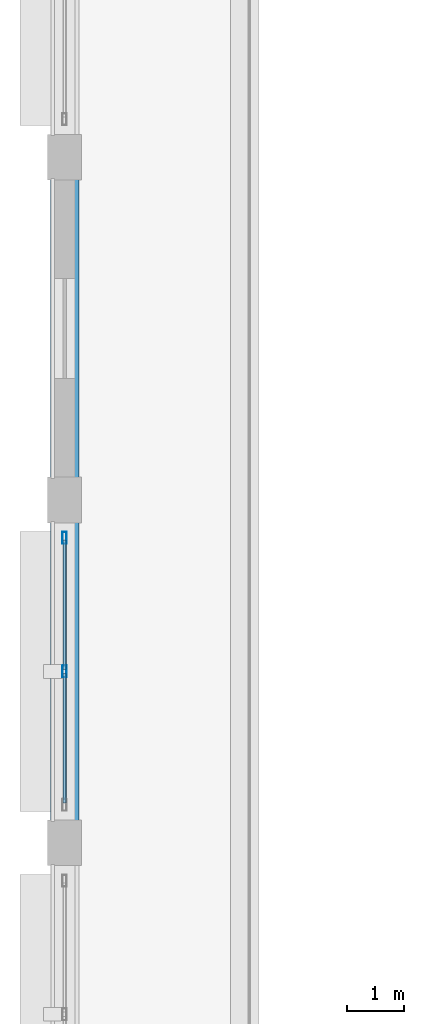
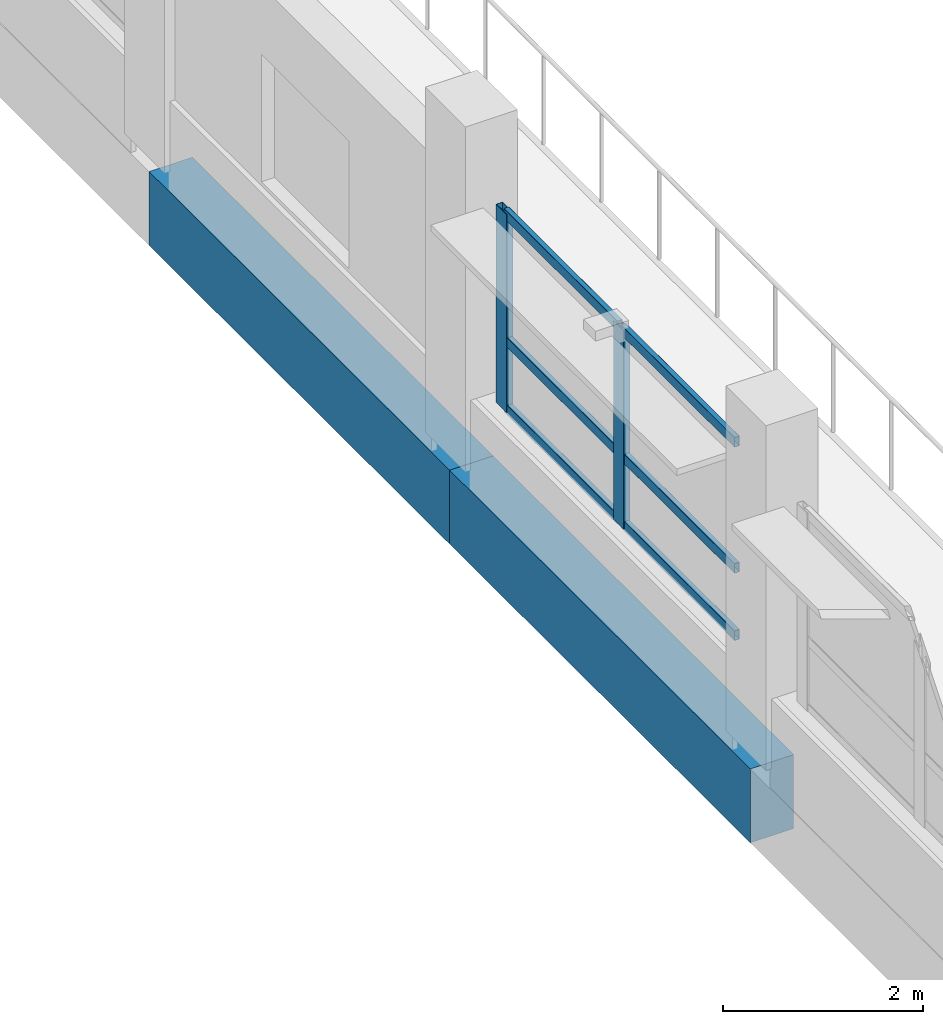
# One storey, part 17 of 128: 8 members, 2 beams, 1 element without a shape of its own.
"""IFC4 building model written with IfcOpenShell, lengths in metres."""

from ifc_helpers import new_model, si_unit, direction, frame, origin, origin_2d, place, context, subcontext, project, spatial, rectangle, hollow_rectangle, extrude, material, layer, layer_set, material_profile, profile_set, type_object, element, aggregate, save


model = new_model("IFC4")

# Units and contexts
model_context = context("Model", 3, precision=1e-05, world=origin(), true_north=direction((0.0, 1.0)))
body_context = subcontext(model_context, "Body", "Model", "MODEL_VIEW")
ifc_project = project(units=[si_unit("LENGTHUNIT", "METRE"), si_unit("AREAUNIT", "SQUARE_METRE"), si_unit("VOLUMEUNIT", "CUBIC_METRE"), si_unit("PLANEANGLEUNIT", "RADIAN"), si_unit("MASSUNIT", "GRAM", prefix="KILO")], contexts=[model_context])

# Site, building, storey
site_placement = place(None, origin())
site = spatial("IfcSite", under=ifc_project, at=site_placement, CompositionType="ELEMENT")
building_placement = place(site_placement, origin())
building = spatial("IfcBuilding", under=site, at=building_placement, Name="Vespera Passage Community Centre", CompositionType="ELEMENT")
storey_placement = place(building_placement, frame((0.0, 0.0, 4.5)))
storey = spatial("IfcBuildingStorey", under=building, at=storey_placement, Name="L01", CompositionType="ELEMENT", Elevation=4.5)

# Beams
ifc_material_1 = material(Name="Concrete f'c 45 MPa", Category="concrete")
ifc_material_profile_1 = material_profile(ifc_material_1, rectangle(XDim=0.5, YDim=0.89990234375, at=origin_2d()), Name="RC500X900")
ifc_profile_set_1 = profile_set([ifc_material_profile_1], Name="Concrete f'c 45 MPa")
beam_type = type_object("IfcBeamType", Name="BM-SP-500X900E", PredefinedType="SPANDREL", material=ifc_profile_set_1)
for number, where, z_axis, x_axis, name in (
    (1, (4.050048828125, 19.0, -0.68994140625), (0.0, 1.0, 0.0), (-1.0, 0.0, 0.0), "V1 L01 Spandrel W3"),
    (2, (4.050048828125, 25.0, -0.68994140625), (0.0, 1.0, 0.0), (-1.0, 0.0, 0.0), "V1 L01 Spandrel W4"),
):
    element("IfcBeam", number, at=place(storey_placement, frame(where, z_axis=z_axis, x_axis=x_axis)), inside=storey, type_object=beam_type, Name=name, PredefinedType="SPANDREL", context=body_context, shape_type="SweptSolid", body=[
        extrude(rectangle(XDim=0.5, YDim=0.89990234375, at=origin_2d()), origin(), (0.0, 0.0, 1.0), 6.0),
    ])

# Curtain wall, members
ifc_material_2 = material(Name="Anodized aluminium 6063-T6", Category="aluminium")
ifc_layer = layer(ifc_material_2, 0.159912109375)
ifc_layer_set = layer_set([ifc_layer], Name="Anodized aluminium 6063-T6")
curtain_wall_type = type_object("IfcCurtainWallType", Name="CW-84E", PredefinedType="NOTDEFINED", material=ifc_layer_set)
curtain_wall_placement = place(storey_placement, origin())
curtain_wall = element("IfcCurtainWall", 3, at=curtain_wall_placement, inside=storey, type_object=curtain_wall_type, Name="Main Hall Acoustic Curtain Wall L01 W3", PredefinedType="NOTDEFINED")
ifc_material_3 = material(Name="Anodized aluminium 6063-T6", Category="aluminium")
ifc_material_profile_2 = material_profile(ifc_material_3, hollow_rectangle(XDim=0.074951171875, YDim=0.2099609375, WallThickness=0.0048828125, InnerFilletRadius=0.00244140625, OuterFilletRadius=0.0048828125, at=origin_2d()), Name="ALU210X75X5")
ifc_profile_set_2 = profile_set([ifc_material_profile_2], Name="Anodized aluminium 6063-T6")
member_type_1 = type_object("IfcMemberType", Name="MB-CWM-210E", PredefinedType="MULLION", material=ifc_profile_set_2)
member_1_placement = place(storey_placement, frame((4.050048828125, 22.0, 0.85009765625), z_axis=(0.0, 0.0, 1.0), x_axis=(-1.0, 0.0, 0.0)))
member_1 = element("IfcMember", 4, at=member_1_placement, type_object=member_type_1, Name="CW-84E mullion 2", PredefinedType="MULLION", context=body_context, shape_type="SweptSolid", body=[
    extrude(hollow_rectangle(XDim=0.074951171875, YDim=0.2099609375, WallThickness=0.0048828125, InnerFilletRadius=0.00244140625, OuterFilletRadius=0.0048828125, at=origin_2d()), origin(), (0.0, 0.0, 1.0), 2.414794921875),
])
member_2_placement = place(storey_placement, frame((4.050048828125, 24.33740234375, 0.85009765625), z_axis=(0.0, 0.0, 1.0), x_axis=(-1.0, 0.0, 0.0)))
member_2 = element("IfcMember", 5, at=member_2_placement, type_object=member_type_1, Name="CW-84E mullion 3", PredefinedType="MULLION", context=body_context, shape_type="SweptSolid", body=[
    extrude(hollow_rectangle(XDim=0.074951171875, YDim=0.2099609375, WallThickness=0.0048828125, InnerFilletRadius=0.00244140625, OuterFilletRadius=0.0048828125, at=origin_2d()), origin(), (0.0, 0.0, 1.0), 2.414794921875),
])
ifc_material_4 = material(Name="Anodized aluminium 6063-T6", Category="aluminium")
ifc_material_profile_3 = material_profile(ifc_material_4, hollow_rectangle(XDim=0.06005859375, YDim=0.1201171875, WallThickness=0.00390625, InnerFilletRadius=0.001953125, OuterFilletRadius=0.00390625, at=origin_2d()), Name="ALU120X60X4")
ifc_profile_set_3 = profile_set([ifc_material_profile_3], Name="Anodized aluminium 6063-T6")
member_type_2 = type_object("IfcMemberType", Name="MB-CWT-120E", PredefinedType="USERDEFINED", material=ifc_profile_set_3)
member_3_placement = place(storey_placement, frame((4.050048828125, 19.699951171875, 0.8798828125), z_axis=(0.0, 1.0, 0.0), x_axis=(-1.0, 0.0, 0.0)))
member_3 = element("IfcMember", 6, at=member_3_placement, type_object=member_type_2, Name="CW-84E transom 1.1", ObjectType="TRANSOM", PredefinedType="USERDEFINED", context=body_context, shape_type="SweptSolid", body=[
    extrude(hollow_rectangle(XDim=0.06005859375, YDim=0.1201171875, WallThickness=0.00390625, InnerFilletRadius=0.001953125, OuterFilletRadius=0.00390625, at=origin_2d()), origin(), (0.0, 0.0, 1.0), 2.262451171875),
])
member_4_placement = place(storey_placement, frame((4.050048828125, 19.699951171875, 1.699951171875), z_axis=(0.0, 1.0, 0.0), x_axis=(-1.0, 0.0, 0.0)))
member_4 = element("IfcMember", 7, at=member_4_placement, type_object=member_type_2, Name="CW-84E transom 1.2", ObjectType="TRANSOM", PredefinedType="USERDEFINED", context=body_context, shape_type="SweptSolid", body=[
    extrude(hollow_rectangle(XDim=0.06005859375, YDim=0.1201171875, WallThickness=0.00390625, InnerFilletRadius=0.001953125, OuterFilletRadius=0.00390625, at=origin_2d()), origin(), (0.0, 0.0, 1.0), 2.262451171875),
])
member_5_placement = place(storey_placement, frame((4.050048828125, 19.699951171875, 3.235107421875), z_axis=(0.0, 1.0, 0.0), x_axis=(-1.0, 0.0, 0.0)))
member_5 = element("IfcMember", 8, at=member_5_placement, type_object=member_type_2, Name="CW-84E transom 1.3", ObjectType="TRANSOM", PredefinedType="USERDEFINED", context=body_context, shape_type="SweptSolid", body=[
    extrude(hollow_rectangle(XDim=0.06005859375, YDim=0.1201171875, WallThickness=0.00390625, InnerFilletRadius=0.001953125, OuterFilletRadius=0.00390625, at=origin_2d()), origin(), (0.0, 0.0, 1.0), 2.262451171875),
])
member_6_placement = place(storey_placement, frame((4.050048828125, 22.03759765625, 0.8798828125), z_axis=(0.0, 1.0, 0.0), x_axis=(-1.0, 0.0, 0.0)))
member_6 = element("IfcMember", 9, at=member_6_placement, type_object=member_type_2, Name="CW-84E transom 2.1", ObjectType="TRANSOM", PredefinedType="USERDEFINED", context=body_context, shape_type="SweptSolid", body=[
    extrude(hollow_rectangle(XDim=0.06005859375, YDim=0.1201171875, WallThickness=0.00390625, InnerFilletRadius=0.001953125, OuterFilletRadius=0.00390625, at=origin_2d()), origin(), (0.0, 0.0, 1.0), 2.262451171875),
])
member_7_placement = place(storey_placement, frame((4.050048828125, 22.03759765625, 1.699951171875), z_axis=(0.0, 1.0, 0.0), x_axis=(-1.0, 0.0, 0.0)))
member_7 = element("IfcMember", 10, at=member_7_placement, type_object=member_type_2, Name="CW-84E transom 2.2", ObjectType="TRANSOM", PredefinedType="USERDEFINED", context=body_context, shape_type="SweptSolid", body=[
    extrude(hollow_rectangle(XDim=0.06005859375, YDim=0.1201171875, WallThickness=0.00390625, InnerFilletRadius=0.001953125, OuterFilletRadius=0.00390625, at=origin_2d()), origin(), (0.0, 0.0, 1.0), 2.262451171875),
])
member_8_placement = place(storey_placement, frame((4.050048828125, 22.03759765625, 3.235107421875), z_axis=(0.0, 1.0, 0.0), x_axis=(-1.0, 0.0, 0.0)))
member_8 = element("IfcMember", 11, at=member_8_placement, type_object=member_type_2, Name="CW-84E transom 2.3", ObjectType="TRANSOM", PredefinedType="USERDEFINED", context=body_context, shape_type="SweptSolid", body=[
    extrude(hollow_rectangle(XDim=0.06005859375, YDim=0.1201171875, WallThickness=0.00390625, InnerFilletRadius=0.001953125, OuterFilletRadius=0.00390625, at=origin_2d()), origin(), (0.0, 0.0, 1.0), 2.262451171875),
])
aggregate(curtain_wall, [member_1, member_2, member_3, member_4, member_5, member_6, member_7, member_8])

save(model, "model.ifc")
